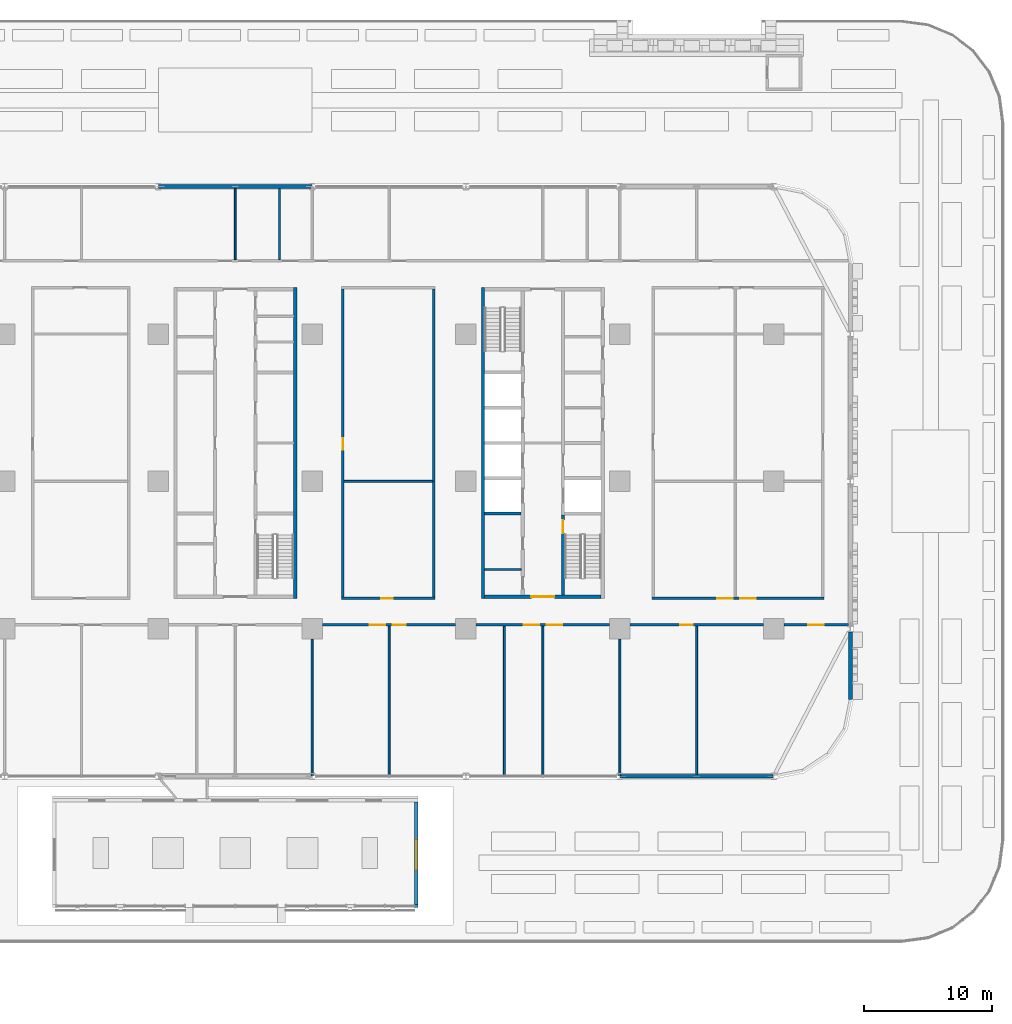
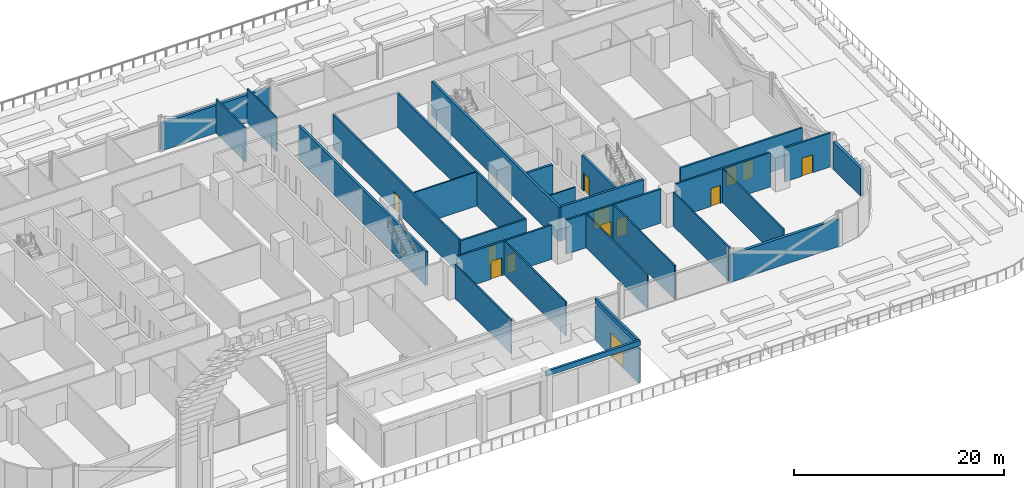
# One storey, part 16 of 39: 29 walls, 13 doors, 13 openings.
"""IFC4 building model written with IfcOpenShell, lengths in metres."""

from ifc_helpers import new_model, si_unit, direction, frame, frame_2d, origin, place, context, subcontext, project, spatial, rectangle, extrude, material, layer, layer_set, type_object, element, fill, save


model = new_model("IFC4")

# Units and contexts
model_context = context("Model", 3, precision=1e-05, world=origin(), true_north=direction((0.0, 1.0)))
body_context = subcontext(model_context, "Body", "Model", "MODEL_VIEW")
ifc_project = project(units=[si_unit("LENGTHUNIT", "METRE"), si_unit("AREAUNIT", "SQUARE_METRE"), si_unit("VOLUMEUNIT", "CUBIC_METRE"), si_unit("PLANEANGLEUNIT", "RADIAN"), si_unit("MASSUNIT", "GRAM", prefix="KILO")], contexts=[model_context])

# Site, building, storey
site_placement = place(None, origin())
site = spatial("IfcSite", under=ifc_project, at=site_placement, CompositionType="ELEMENT")
building_placement = place(site_placement, origin())
building = spatial("IfcBuilding", under=site, at=building_placement, Name="Mahtab Terrace Research Tower", CompositionType="ELEMENT")
storey_placement = place(building_placement, frame((0.0, 0.0, 7.199951171875)))
storey = spatial("IfcBuildingStorey", under=building, at=storey_placement, Name="L01", CompositionType="ELEMENT", Elevation=7.199951171875)

# Walls
ifc_material_1 = material(Name="Gypsum board partition")
ifc_layer_1 = layer(ifc_material_1, 0.14990234375)
ifc_layer_set_1 = layer_set([ifc_layer_1], Name="Core partition 150")
wall_type_1 = type_object("IfcWallType", Name="Core partition 150", PredefinedType="PARTITIONING", material=ifc_layer_set_1)
wall_1_placement = place(storey_placement, frame((19.449951171875, -6.875, 0.0), z_axis=(0.0, 0.0, 1.0), x_axis=(1.0, 0.0, 0.0)))
element("IfcWall", 1, at=wall_1_placement, inside=storey, type_object=wall_type_1, Name="Core wall C pWS-988", PredefinedType="PARTITIONING", context=body_context, shape_type="SweptSolid", body=[
    extrude(rectangle(XDim=2.85009765625, YDim=0.14990234375, at=frame_2d((1.425048828125, 0.0))), origin(), (0.0, 0.0, 1.0), 3.9599609375),
])
ifc_material_2 = material(Name="Concrete C70/85", Category="concrete")
ifc_layer_2 = layer(ifc_material_2, 0.25)
ifc_layer_set_2 = layer_set([ifc_layer_2], Name="Core wall 250")
wall_type_2 = type_object("IfcWallType", Name="Core wall 250", PredefinedType="SOLIDWALL", material=ifc_layer_set_2)
for number, where, z_axis, x_axis, name in (
    (2, (4.675048828125, -9.125, 0.0), (0.0, 0.0, 1.0), (0.0, 1.0, 0.0), "Core wall B outerE"),
    (3, (19.324951171875, 15.125, 0.0), (0.0, 0.0, 1.0), (0.0, -1.0, 0.0), "Core wall C outerW"),
):
    element("IfcWall", number, at=place(storey_placement, frame(where, z_axis=z_axis, x_axis=x_axis)), inside=storey, type_object=wall_type_2, Name=name, PredefinedType="SOLIDWALL", context=body_context, shape_type="SweptSolid", body=[
        extrude(rectangle(XDim=24.25, YDim=0.25, at=frame_2d((12.125, 0.0))), origin(), (0.0, 0.0, 1.0), 3.9599609375),
    ])

# Wall, opening, door
wall_2_placement = place(storey_placement, frame((28.550048828125, -9.0, 0.0), z_axis=(0.0, 0.0, 1.0), x_axis=(-1.0, 0.0, 0.0)))
wall_2 = element("IfcWall", 4, at=wall_2_placement, inside=storey, type_object=wall_type_2, Name="Core wall C endS", PredefinedType="SOLIDWALL", context=body_context, shape_type="SweptSolid", body=[
    extrude(rectangle(XDim=9.10009765625, YDim=0.25, at=frame_2d((4.550048828125, 0.0))), origin(), (0.0, 0.0, 1.0), 3.9599609375),
])
opening_1_placement = place(wall_2_placement, frame((3.64990234375, 0.0, 0.0)))
opening_1 = element("IfcOpeningElement", 5, at=opening_1_placement, cuts=wall_2, Name="Opening C-S1", PredefinedType="OPENING", context=body_context, shape_type="SweptSolid", body=[
    extrude(rectangle(XDim=1.800048828125, YDim=2.10009765625, at=frame_2d((0.89990234375, 1.050048828125))), frame((0.0, 0.135009765625, 0.0), z_axis=(0.0, -1.0, 0.0), x_axis=(1.0, 0.0, 0.0)), (0.0, 0.0, 1.0), 0.27001953125),
])
ifc_material_3 = material(Name="Steel fire door", Category="steel")
door_type_1 = type_object("IfcDoorType", Name="Lobby double door 1800x2100 1 HR", OperationType="DOUBLE_DOOR_SINGLE_SWING", PredefinedType="DOOR", material=ifc_material_3)
door_1_placement = place(opening_1_placement, origin())
door_1 = element("IfcDoor", 6, at=door_1_placement, inside=storey, type_object=door_type_1, Name="Core entrance door C S", OperationType="DOUBLE_DOOR_SINGLE_SWING", OverallHeight=2.10009765625, OverallWidth=1.800048828125, PredefinedType="DOOR", context=body_context, shape_type="SweptSolid", body=[
    extrude(rectangle(XDim=1.800048828125, YDim=2.10009765625, at=frame_2d((0.89990234375, 1.050048828125))), frame((0.0, 0.02490234375, 0.0), z_axis=(0.0, -1.0, 0.0), x_axis=(1.0, 0.0, 0.0)), (0.0, 0.0, 1.0), 0.050048828125),
])
fill(opening_1, door_1)

wall_3_placement = place(storey_placement, frame((25.574951171875, -8.875, 0.0), z_axis=(0.0, 0.0, 1.0), x_axis=(0.0, 1.0, 0.0)))
wall_3 = element("IfcWall", 7, at=wall_3_placement, inside=storey, type_object=wall_type_2, Name="Core wall C innerES", PredefinedType="SOLIDWALL", context=body_context, shape_type="SweptSolid", body=[
    extrude(rectangle(XDim=6.25, YDim=0.25, at=frame_2d((3.125, 0.0))), origin(), (0.0, 0.0, 1.0), 3.9599609375),
])
opening_2_placement = place(wall_3_placement, frame((4.85009765625, 0.0, 0.0)))
opening_2 = element("IfcOpeningElement", 8, at=opening_2_placement, cuts=wall_3, Name="Opening C-ST4", PredefinedType="OPENING", context=body_context, shape_type="SweptSolid", body=[
    extrude(rectangle(XDim=1.0, YDim=2.10009765625, at=frame_2d((0.5, 1.050048828125))), frame((0.0, 0.135009765625, 0.0), z_axis=(0.0, -1.0, 0.0), x_axis=(1.0, 0.0, 0.0)), (0.0, 0.0, 1.0), 0.27001953125),
])
door_type_2 = type_object("IfcDoorType", Name="Stair door 1000x2100 1.5 HR", OperationType="NOTDEFINED", PredefinedType="DOOR", material=ifc_material_3)
door_2_placement = place(opening_2_placement, origin())
door_2 = element("IfcDoor", 9, at=door_2_placement, inside=storey, type_object=door_type_2, Name="Stair door ST4 L01", OperationType="SINGLE_SWING_LEFT", OverallHeight=2.10009765625, OverallWidth=1.0, PredefinedType="DOOR", context=body_context, shape_type="SweptSolid", body=[
    extrude(rectangle(XDim=1.0, YDim=2.10009765625, at=frame_2d((0.5, 1.050048828125))), frame((0.0, 0.02490234375, 0.0), z_axis=(0.0, -1.0, 0.0), x_axis=(1.0, 0.0, 0.0)), (0.0, 0.0, 1.0), 0.050048828125),
])
fill(opening_2, door_2)

# Walls
wall_4_placement = place(storey_placement, frame((19.449951171875, -2.5, 0.0), z_axis=(0.0, 0.0, 1.0), x_axis=(1.0, 0.0, 0.0)))
element("IfcWall", 10, at=wall_4_placement, inside=storey, type_object=wall_type_2, Name="Core wall C divW0", PredefinedType="SOLIDWALL", context=body_context, shape_type="SweptSolid", body=[
    extrude(rectangle(XDim=2.85009765625, YDim=0.25, at=frame_2d((1.425048828125, 0.0))), origin(), (0.0, 0.0, 1.0), 3.9599609375),
])
ifc_material_4 = material(Name="Black aluminium cladding panel", Category="aluminium")
ifc_layer_3 = layer(ifc_material_4, 0.300048828125)
ifc_layer_set_3 = layer_set([ifc_layer_3], Name="Opaque facade wall 300")
wall_type_3 = type_object("IfcWallType", Name="Opaque facade wall 300", PredefinedType="NOTDEFINED", material=ifc_layer_set_3)
for number, where, z_axis, x_axis, name in (
    (11, (5.97216796875, 23.0, 0.0), (0.0, 0.0, 1.0), (-1.0, 0.0, 0.0), "Opaque facade wall L01 N6"),
    (12, (30.02783203125, -23.0, 0.0), (0.0, 0.0, 1.0), (1.0, 0.0, 0.0), "Opaque facade wall L01 S28"),
):
    element("IfcWall", number, at=place(storey_placement, frame(where, z_axis=z_axis, x_axis=x_axis)), inside=storey, type_object=wall_type_3, Name=name, PredefinedType="NOTDEFINED", context=body_context, shape_type="SweptSolid", body=[
        extrude(rectangle(XDim=11.9443359375, YDim=0.300048828125, at=frame_2d((5.97216796875, 0.0))), origin(), (0.0, 0.0, 1.0), 3.203125),
    ])
wall_5_placement = place(storey_placement, frame((48.0, -17.0, 0.0), z_axis=(0.0, 0.0, 1.0), x_axis=(0.0, 1.0, 0.0)))
element("IfcWall", 13, at=wall_5_placement, inside=storey, type_object=wall_type_3, Name="Opaque facade wall L01 E33", PredefinedType="NOTDEFINED", context=body_context, shape_type="SweptSolid", body=[
    extrude(rectangle(XDim=5.2509765625, YDim=0.300048828125, at=frame_2d((2.62548828125, 0.0))), origin(), (0.0, 0.0, 1.0), 3.203125),
])

# Wall, opening, door
ifc_layer_4 = layer(ifc_material_2, 0.25)
ifc_layer_set_4 = layer_set([ifc_layer_4], Name="Pavilion wall 250")
wall_type_4 = type_object("IfcWallType", Name="Pavilion wall 250", PredefinedType="SOLIDWALL", material=ifc_layer_set_4)
wall_6_placement = place(storey_placement, frame((14.125, -33.25, 0.0), z_axis=(0.0, 0.0, 1.0), x_axis=(0.0, 1.0, 0.0)))
wall_6 = element("IfcWall", 14, at=wall_6_placement, inside=storey, type_object=wall_type_4, Name="Pavilion end wall E", PredefinedType="SOLIDWALL", context=body_context, shape_type="SweptSolid", body=[
    extrude(rectangle(XDim=8.25, YDim=0.25, at=frame_2d((4.125, 0.0))), origin(), (0.0, 0.0, 1.0), 4.0),
])
opening_3_placement = place(wall_6_placement, frame((2.925048828125, 0.0, 0.0)))
opening_3 = element("IfcOpeningElement", 15, at=opening_3_placement, cuts=wall_6, Name="Opening ED5", PredefinedType="OPENING", context=body_context, shape_type="SweptSolid", body=[
    extrude(rectangle(XDim=2.39990234375, YDim=2.699951171875, at=frame_2d((1.199951171875, 1.35009765625))), frame((0.0, 0.135009765625, 0.0), z_axis=(0.0, -1.0, 0.0), x_axis=(1.0, 0.0, 0.0)), (0.0, 0.0, 1.0), 0.27001953125),
])
ifc_material_5 = material(Name="Black anodised aluminium", Category="aluminium")
door_type_3 = type_object("IfcDoorType", Name="Pavilion entrance door 2400x2700", OperationType="DOUBLE_DOOR_DOUBLE_SWING", PredefinedType="DOOR", material=ifc_material_5)
door_3_placement = place(opening_3_placement, origin())
door_3 = element("IfcDoor", 16, at=door_3_placement, inside=storey, type_object=door_type_3, Name="Pavilion entrance door E", OperationType="SINGLE_SWING_LEFT", OverallHeight=2.699951171875, OverallWidth=2.39990234375, PredefinedType="DOOR", context=body_context, shape_type="SweptSolid", body=[
    extrude(rectangle(XDim=2.39990234375, YDim=2.699951171875, at=frame_2d((1.199951171875, 1.35009765625))), frame((0.0, 0.02490234375, 0.0), z_axis=(0.0, -1.0, 0.0), x_axis=(1.0, 0.0, 0.0)), (0.0, 0.0, 1.0), 0.050048828125),
])
fill(opening_3, door_3)

# Walls
ifc_material_6 = material(Name="Precast concrete C40/50", Category="concrete")
ifc_layer_5 = layer(ifc_material_6, 0.25)
ifc_layer_set_5 = layer_set([ifc_layer_5], Name="Roof parapet wall 250")
wall_type_5 = type_object("IfcWallType", Name="Roof parapet wall 250", PredefinedType="PARAPET", material=ifc_layer_set_5)
wall_7_placement = place(storey_placement, frame((14.125, -33.0, 4.300048828125), z_axis=(0.0, 0.0, 1.0), x_axis=(0.0, 1.0, 0.0)))
element("IfcWall", 17, at=wall_7_placement, inside=storey, type_object=wall_type_5, Name="Pavilion roof parapet E", PredefinedType="PARAPET", context=body_context, shape_type="SweptSolid", body=[
    extrude(rectangle(XDim=8.0, YDim=0.25, at=frame_2d((4.0, 0.0))), origin(), (0.0, 0.0, 1.0), 0.60009765625),
])
wall_8_placement = place(storey_placement, frame((3.89990234375, -33.125, 4.300048828125), z_axis=(0.0, 0.0, 1.0), x_axis=(1.0, 0.0, 0.0)))
element("IfcWall", 18, at=wall_8_placement, inside=storey, type_object=wall_type_5, Name="Pavilion roof parapet F3", PredefinedType="PARAPET", context=body_context, shape_type="SweptSolid", body=[
    extrude(rectangle(XDim=10.35009765625, YDim=0.25, at=frame_2d((5.175048828125, 0.0))), origin(), (0.0, 0.0, 1.0), 0.60009765625),
])

# Wall, openings, doors
ifc_material_7 = material(Name="Gypsum board corridor wall on steel studs", Category="steel")
ifc_layer_6 = layer(ifc_material_7, 0.199951171875)
ifc_layer_set_6 = layer_set([ifc_layer_6], Name="WALL CORRIDOR 200")
wall_type_6 = type_object("IfcWallType", Name="WALL CORRIDOR 200", PredefinedType="PARTITIONING", material=ifc_layer_set_6)
wall_9_placement = place(storey_placement, frame((6.800048828125, -11.199951171875, 0.0), z_axis=(0.0, 0.0, 1.0), x_axis=(1.0, 0.0, 0.0)))
wall_9 = element("IfcWall", 19, at=wall_9_placement, inside=storey, type_object=wall_type_6, Name="L01-W006", PredefinedType="PARTITIONING", context=body_context, shape_type="SweptSolid", body=[
    extrude(rectangle(XDim=10.39990234375, YDim=0.199951171875, at=frame_2d((5.199951171875, 0.0))), origin(), (0.0, 0.0, 1.0), 3.9599609375),
])
opening_4_placement = place(wall_9_placement, frame((3.699951171875, 0.0, 0.0)))
opening_4 = element("IfcOpeningElement", 20, at=opening_4_placement, cuts=wall_9, Name="Opening L01-110", PredefinedType="OPENING", context=body_context, shape_type="SweptSolid", body=[
    extrude(rectangle(XDim=1.199951171875, YDim=2.10009765625, at=frame_2d((0.60009765625, 1.050048828125))), frame((0.0, 0.10986328125, 0.0), z_axis=(0.0, -1.0, 0.0), x_axis=(1.0, 0.0, 0.0)), (0.0, 0.0, 1.0), 0.219970703125),
])
opening_5_placement = place(wall_9_placement, frame((5.5, 0.0, 0.0)))
opening_5 = element("IfcOpeningElement", 21, at=opening_5_placement, cuts=wall_9, Name="Opening L01-111", PredefinedType="OPENING", context=body_context, shape_type="SweptSolid", body=[
    extrude(rectangle(XDim=1.0, YDim=2.10009765625, at=frame_2d((0.5, 1.050048828125))), frame((0.0, 0.10986328125, 0.0), z_axis=(0.0, -1.0, 0.0), x_axis=(1.0, 0.0, 0.0)), (0.0, 0.0, 1.0), 0.219970703125),
])
ifc_material_8 = material(Name="Timber door leaf in steel frame", Category="steel")
door_type_4 = type_object("IfcDoorType", Name="DOOR 1000X2100 FD30S", OperationType="SINGLE_SWING_LEFT", PredefinedType="DOOR", material=ifc_material_8)
door_4_placement = place(opening_5_placement, origin())
door_4 = element("IfcDoor", 22, at=door_4_placement, inside=storey, type_object=door_type_4, Name="Door L01-111", OperationType="SINGLE_SWING_LEFT", OverallHeight=2.10009765625, OverallWidth=1.0, PredefinedType="DOOR", context=body_context, shape_type="SweptSolid", body=[
    extrude(rectangle(XDim=1.0, YDim=2.10009765625, at=frame_2d((0.5, 1.050048828125))), frame((0.0, 0.02490234375, 0.0), z_axis=(0.0, -1.0, 0.0), x_axis=(1.0, 0.0, 0.0)), (0.0, 0.0, 1.0), 0.050048828125),
])
fill(opening_5, door_4)
door_type_5 = type_object("IfcDoorType", Name="DOOR 1200X2100 FD30S", OperationType="SINGLE_SWING_LEFT", PredefinedType="DOOR", material=ifc_material_8)
door_5_placement = place(opening_4_placement, origin())
door_5 = element("IfcDoor", 23, at=door_5_placement, inside=storey, type_object=door_type_5, Name="Door L01-110", OperationType="SINGLE_SWING_RIGHT", OverallHeight=2.10009765625, OverallWidth=1.199951171875, PredefinedType="DOOR", context=body_context, shape_type="SweptSolid", body=[
    extrude(rectangle(XDim=1.199951171875, YDim=2.10009765625, at=frame_2d((0.60009765625, 1.050048828125))), frame((0.0, 0.02490234375, 0.0), z_axis=(0.0, -1.0, 0.0), x_axis=(1.0, 0.0, 0.0)), (0.0, 0.0, 1.0), 0.050048828125),
])
fill(opening_4, door_5)

wall_10_placement = place(storey_placement, frame((18.800048828125, -11.199951171875, 0.0), z_axis=(0.0, 0.0, 1.0), x_axis=(1.0, 0.0, 0.0)))
wall_10 = element("IfcWall", 24, at=wall_10_placement, inside=storey, type_object=wall_type_6, Name="L01-W007", PredefinedType="PARTITIONING", context=body_context, shape_type="SweptSolid", body=[
    extrude(rectangle(XDim=10.39990234375, YDim=0.199951171875, at=frame_2d((5.199951171875, 0.0))), origin(), (0.0, 0.0, 1.0), 3.9599609375),
])
opening_6_placement = place(wall_10_placement, frame((3.699951171875, 0.0, 0.0)))
opening_6 = element("IfcOpeningElement", 25, at=opening_6_placement, cuts=wall_10, Name="Opening L01-112", PredefinedType="OPENING", context=body_context, shape_type="SweptSolid", body=[
    extrude(rectangle(XDim=1.199951171875, YDim=2.10009765625, at=frame_2d((0.60009765625, 1.050048828125))), frame((0.0, 0.10986328125, 0.0), z_axis=(0.0, -1.0, 0.0), x_axis=(1.0, 0.0, 0.0)), (0.0, 0.0, 1.0), 0.219970703125),
])
opening_7_placement = place(wall_10_placement, frame((5.5, 0.0, 0.0)))
opening_7 = element("IfcOpeningElement", 26, at=opening_7_placement, cuts=wall_10, Name="Opening L01-113", PredefinedType="OPENING", context=body_context, shape_type="SweptSolid", body=[
    extrude(rectangle(XDim=1.199951171875, YDim=2.10009765625, at=frame_2d((0.60009765625, 1.050048828125))), frame((0.0, 0.10986328125, 0.0), z_axis=(0.0, -1.0, 0.0), x_axis=(1.0, 0.0, 0.0)), (0.0, 0.0, 1.0), 0.219970703125),
])
door_6_placement = place(opening_6_placement, origin())
door_6 = element("IfcDoor", 27, at=door_6_placement, inside=storey, type_object=door_type_5, Name="Door L01-112", OperationType="SINGLE_SWING_RIGHT", OverallHeight=2.10009765625, OverallWidth=1.199951171875, PredefinedType="DOOR", context=body_context, shape_type="SweptSolid", body=[
    extrude(rectangle(XDim=1.199951171875, YDim=2.10009765625, at=frame_2d((0.60009765625, 1.050048828125))), frame((0.0, 0.02490234375, 0.0), z_axis=(0.0, -1.0, 0.0), x_axis=(1.0, 0.0, 0.0)), (0.0, 0.0, 1.0), 0.050048828125),
])
fill(opening_6, door_6)
door_7_placement = place(opening_7_placement, origin())
door_7 = element("IfcDoor", 28, at=door_7_placement, inside=storey, type_object=door_type_5, Name="Door L01-113", OperationType="SINGLE_SWING_LEFT", OverallHeight=2.10009765625, OverallWidth=1.199951171875, PredefinedType="DOOR", context=body_context, shape_type="SweptSolid", body=[
    extrude(rectangle(XDim=1.199951171875, YDim=2.10009765625, at=frame_2d((0.60009765625, 1.050048828125))), frame((0.0, 0.02490234375, 0.0), z_axis=(0.0, -1.0, 0.0), x_axis=(1.0, 0.0, 0.0)), (0.0, 0.0, 1.0), 0.050048828125),
])
fill(opening_7, door_7)

# Wall, opening, door
wall_11_placement = place(storey_placement, frame((30.800048828125, -11.199951171875, 0.0), z_axis=(0.0, 0.0, 1.0), x_axis=(1.0, 0.0, 0.0)))
wall_11 = element("IfcWall", 29, at=wall_11_placement, inside=storey, type_object=wall_type_6, Name="L01-W008", PredefinedType="PARTITIONING", context=body_context, shape_type="SweptSolid", body=[
    extrude(rectangle(XDim=10.39990234375, YDim=0.199951171875, at=frame_2d((5.199951171875, 0.0))), origin(), (0.0, 0.0, 1.0), 3.9599609375),
])
opening_8_placement = place(wall_11_placement, frame((3.89990234375, 0.0, 0.0)))
opening_8 = element("IfcOpeningElement", 30, at=opening_8_placement, cuts=wall_11, Name="Opening L01-114", PredefinedType="OPENING", context=body_context, shape_type="SweptSolid", body=[
    extrude(rectangle(XDim=1.0, YDim=2.10009765625, at=frame_2d((0.5, 1.050048828125))), frame((0.0, 0.10986328125, 0.0), z_axis=(0.0, -1.0, 0.0), x_axis=(1.0, 0.0, 0.0)), (0.0, 0.0, 1.0), 0.219970703125),
])
door_8_placement = place(opening_8_placement, origin())
door_8 = element("IfcDoor", 31, at=door_8_placement, inside=storey, type_object=door_type_4, Name="Door L01-114", OperationType="SINGLE_SWING_RIGHT", OverallHeight=2.10009765625, OverallWidth=1.0, PredefinedType="DOOR", context=body_context, shape_type="SweptSolid", body=[
    extrude(rectangle(XDim=1.0, YDim=2.10009765625, at=frame_2d((0.5, 1.050048828125))), frame((0.0, 0.02490234375, 0.0), z_axis=(0.0, -1.0, 0.0), x_axis=(1.0, 0.0, 0.0)), (0.0, 0.0, 1.0), 0.050048828125),
])
fill(opening_8, door_8)

wall_12_placement = place(storey_placement, frame((42.800048828125, -11.199951171875, 0.0), z_axis=(0.0, 0.0, 1.0), x_axis=(1.0, 0.0, 0.0)))
wall_12 = element("IfcWall", 32, at=wall_12_placement, inside=storey, type_object=wall_type_6, Name="L01-W009", PredefinedType="PARTITIONING", context=body_context, shape_type="SweptSolid", body=[
    extrude(rectangle(XDim=5.050048828125, YDim=0.199951171875, at=frame_2d((2.52490234375, 0.0))), origin(), (0.0, 0.0, 1.0), 3.9599609375),
])
opening_9_placement = place(wall_12_placement, frame((1.89990234375, 0.0, 0.0)))
opening_9 = element("IfcOpeningElement", 33, at=opening_9_placement, cuts=wall_12, Name="Opening L01-115", PredefinedType="OPENING", context=body_context, shape_type="SweptSolid", body=[
    extrude(rectangle(XDim=1.199951171875, YDim=2.10009765625, at=frame_2d((0.60009765625, 1.050048828125))), frame((0.0, 0.10986328125, 0.0), z_axis=(0.0, -1.0, 0.0), x_axis=(1.0, 0.0, 0.0)), (0.0, 0.0, 1.0), 0.219970703125),
])
door_9_placement = place(opening_9_placement, origin())
door_9 = element("IfcDoor", 34, at=door_9_placement, inside=storey, type_object=door_type_5, Name="Door L01-115", OperationType="SINGLE_SWING_RIGHT", OverallHeight=2.10009765625, OverallWidth=1.199951171875, PredefinedType="DOOR", context=body_context, shape_type="SweptSolid", body=[
    extrude(rectangle(XDim=1.199951171875, YDim=2.10009765625, at=frame_2d((0.60009765625, 1.050048828125))), frame((0.0, 0.02490234375, 0.0), z_axis=(0.0, -1.0, 0.0), x_axis=(1.0, 0.0, 0.0)), (0.0, 0.0, 1.0), 0.050048828125),
])
fill(opening_9, door_9)

wall_13_placement = place(storey_placement, frame((8.300048828125, -9.125, 0.0), z_axis=(0.0, 0.0, 1.0), x_axis=(1.0, 0.0, 0.0)))
wall_13 = element("IfcWall", 35, at=wall_13_placement, inside=storey, type_object=wall_type_6, Name="L01-W012", PredefinedType="PARTITIONING", context=body_context, shape_type="SweptSolid", body=[
    extrude(rectangle(XDim=7.300048828125, YDim=0.199951171875, at=frame_2d((3.64990234375, 0.0))), origin(), (0.0, 0.0, 1.0), 3.9599609375),
])
opening_10_placement = place(wall_13_placement, frame((3.10009765625, 0.0, 0.0)))
opening_10 = element("IfcOpeningElement", 36, at=opening_10_placement, cuts=wall_13, Name="Opening L01-119", PredefinedType="OPENING", context=body_context, shape_type="SweptSolid", body=[
    extrude(rectangle(XDim=0.89990234375, YDim=2.10009765625, at=frame_2d((0.449951171875, 1.050048828125))), frame((0.0, 0.10986328125, 0.0), z_axis=(0.0, -1.0, 0.0), x_axis=(1.0, 0.0, 0.0)), (0.0, 0.0, 1.0), 0.219970703125),
])
door_type_6 = type_object("IfcDoorType", Name="DOOR 0900X2100 FD30S", OperationType="SINGLE_SWING_LEFT", PredefinedType="DOOR", material=ifc_material_8)
door_10_placement = place(opening_10_placement, origin())
door_10 = element("IfcDoor", 37, at=door_10_placement, inside=storey, type_object=door_type_6, Name="Door L01-119", OperationType="SINGLE_SWING_LEFT", OverallHeight=2.10009765625, OverallWidth=0.89990234375, PredefinedType="DOOR", context=body_context, shape_type="SweptSolid", body=[
    extrude(rectangle(XDim=0.89990234375, YDim=2.10009765625, at=frame_2d((0.449951171875, 1.050048828125))), frame((0.0, 0.02490234375, 0.0), z_axis=(0.0, -1.0, 0.0), x_axis=(1.0, 0.0, 0.0)), (0.0, 0.0, 1.0), 0.050048828125),
])
fill(opening_10, door_10)

# Wall, openings, doors
wall_14_placement = place(storey_placement, frame((32.5, -9.125, 0.0), z_axis=(0.0, 0.0, 1.0), x_axis=(1.0, 0.0, 0.0)))
wall_14 = element("IfcWall", 38, at=wall_14_placement, inside=storey, type_object=wall_type_6, Name="L01-W013", PredefinedType="PARTITIONING", context=body_context, shape_type="SweptSolid", body=[
    extrude(rectangle(XDim=13.449951171875, YDim=0.199951171875, at=frame_2d((6.72509765625, 0.0))), origin(), (0.0, 0.0, 1.0), 3.9599609375),
])
opening_11_placement = place(wall_14_placement, frame((5.10009765625, 0.0, 0.0)))
opening_11 = element("IfcOpeningElement", 39, at=opening_11_placement, cuts=wall_14, Name="Opening L01-120", PredefinedType="OPENING", context=body_context, shape_type="SweptSolid", body=[
    extrude(rectangle(XDim=1.199951171875, YDim=2.10009765625, at=frame_2d((0.60009765625, 1.050048828125))), frame((0.0, 0.10986328125, 0.0), z_axis=(0.0, -1.0, 0.0), x_axis=(1.0, 0.0, 0.0)), (0.0, 0.0, 1.0), 0.219970703125),
])
opening_12_placement = place(wall_14_placement, frame((6.89990234375, 0.0, 0.0)))
opening_12 = element("IfcOpeningElement", 40, at=opening_12_placement, cuts=wall_14, Name="Opening L01-121", PredefinedType="OPENING", context=body_context, shape_type="SweptSolid", body=[
    extrude(rectangle(XDim=1.199951171875, YDim=2.10009765625, at=frame_2d((0.60009765625, 1.050048828125))), frame((0.0, 0.10986328125, 0.0), z_axis=(0.0, -1.0, 0.0), x_axis=(1.0, 0.0, 0.0)), (0.0, 0.0, 1.0), 0.219970703125),
])
door_11_placement = place(opening_11_placement, origin())
door_11 = element("IfcDoor", 41, at=door_11_placement, inside=storey, type_object=door_type_5, Name="Door L01-120", OperationType="SINGLE_SWING_LEFT", OverallHeight=2.10009765625, OverallWidth=1.199951171875, PredefinedType="DOOR", context=body_context, shape_type="SweptSolid", body=[
    extrude(rectangle(XDim=1.199951171875, YDim=2.10009765625, at=frame_2d((0.60009765625, 1.050048828125))), frame((0.0, 0.02490234375, 0.0), z_axis=(0.0, -1.0, 0.0), x_axis=(1.0, 0.0, 0.0)), (0.0, 0.0, 1.0), 0.050048828125),
])
fill(opening_11, door_11)
door_12_placement = place(opening_12_placement, origin())
door_12 = element("IfcDoor", 42, at=door_12_placement, inside=storey, type_object=door_type_5, Name="Door L01-121", OperationType="SINGLE_SWING_RIGHT", OverallHeight=2.10009765625, OverallWidth=1.199951171875, PredefinedType="DOOR", context=body_context, shape_type="SweptSolid", body=[
    extrude(rectangle(XDim=1.199951171875, YDim=2.10009765625, at=frame_2d((0.60009765625, 1.050048828125))), frame((0.0, 0.02490234375, 0.0), z_axis=(0.0, -1.0, 0.0), x_axis=(1.0, 0.0, 0.0)), (0.0, 0.0, 1.0), 0.050048828125),
])
fill(opening_12, door_12)

# Wall, opening, door
wall_15_placement = place(storey_placement, frame((8.39990234375, -9.02490234375, 0.0), z_axis=(0.0, 0.0, 1.0), x_axis=(0.0, 1.0, 0.0)))
wall_15 = element("IfcWall", 43, at=wall_15_placement, inside=storey, type_object=wall_type_6, Name="L01-W051", PredefinedType="PARTITIONING", context=body_context, shape_type="SweptSolid", body=[
    extrude(rectangle(XDim=24.0498046875, YDim=0.199951171875, at=frame_2d((12.02490234375, 0.0))), origin(), (0.0, 0.0, 1.0), 3.9599609375),
])
opening_13_placement = place(wall_15_placement, frame((11.5, 0.0, 0.0)))
opening_13 = element("IfcOpeningElement", 44, at=opening_13_placement, cuts=wall_15, Name="Opening L01-127", PredefinedType="OPENING", context=body_context, shape_type="SweptSolid", body=[
    extrude(rectangle(XDim=0.89990234375, YDim=2.10009765625, at=frame_2d((0.449951171875, 1.050048828125))), frame((0.0, 0.10986328125, 0.0), z_axis=(0.0, -1.0, 0.0), x_axis=(1.0, 0.0, 0.0)), (0.0, 0.0, 1.0), 0.219970703125),
])
door_13_placement = place(opening_13_placement, origin())
door_13 = element("IfcDoor", 45, at=door_13_placement, inside=storey, type_object=door_type_6, Name="Door L01-127", OperationType="SINGLE_SWING_RIGHT", OverallHeight=2.10009765625, OverallWidth=0.89990234375, PredefinedType="DOOR", context=body_context, shape_type="SweptSolid", body=[
    extrude(rectangle(XDim=0.89990234375, YDim=2.10009765625, at=frame_2d((0.449951171875, 1.050048828125))), frame((0.0, 0.02490234375, 0.0), z_axis=(0.0, -1.0, 0.0), x_axis=(1.0, 0.0, 0.0)), (0.0, 0.0, 1.0), 0.050048828125),
])
fill(opening_13, door_13)

# Walls
wall_16_placement = place(storey_placement, frame((15.5, -9.02490234375, 0.0), z_axis=(0.0, 0.0, 1.0), x_axis=(0.0, 1.0, 0.0)))
element("IfcWall", 46, at=wall_16_placement, inside=storey, type_object=wall_type_6, Name="L01-W054", PredefinedType="PARTITIONING", context=body_context, shape_type="SweptSolid", body=[
    extrude(rectangle(XDim=24.0498046875, YDim=0.199951171875, at=frame_2d((12.02490234375, 0.0))), origin(), (0.0, 0.0, 1.0), 3.9599609375),
])
ifc_material_9 = material(Name="Gypsum board partition on steel studs", Category="steel")
ifc_layer_7 = layer(ifc_material_9, 0.14990234375)
ifc_layer_set_7 = layer_set([ifc_layer_7], Name="WALL PARTITION 150")
wall_type_7 = type_object("IfcWallType", Name="WALL PARTITION 150", PredefinedType="PARTITIONING", material=ifc_layer_set_7)
wall_17_placement = place(storey_placement, frame((8.5, 0.0, 0.0), z_axis=(0.0, 0.0, 1.0), x_axis=(1.0, 0.0, 0.0)))
element("IfcWall", 47, at=wall_17_placement, inside=storey, type_object=wall_type_7, Name="L01-W017", PredefinedType="PARTITIONING", context=body_context, shape_type="SweptSolid", body=[
    extrude(rectangle(XDim=6.89990234375, YDim=0.14990234375, at=frame_2d((3.449951171875, 0.0))), origin(), (0.0, 0.0, 1.0), 3.9599609375),
])
for number, where, z_axis, x_axis, name in (
    (48, (0.0, 17.300048828125, 0.0), (0.0, 0.0, 1.0), (0.0, 1.0, 0.0), "L01-W047"),
    (49, (3.449951171875, 17.300048828125, 0.0), (0.0, 0.0, 1.0), (0.0, 1.0, 0.0), "L01-W048"),
):
    element("IfcWall", number, at=place(storey_placement, frame(where, z_axis=z_axis, x_axis=x_axis)), inside=storey, type_object=wall_type_7, Name=name, PredefinedType="PARTITIONING", context=body_context, shape_type="SweptSolid", body=[
        extrude(rectangle(XDim=5.550048828125, YDim=0.14990234375, at=frame_2d((2.77490234375, 0.0))), origin(), (0.0, 0.0, 1.0), 3.9599609375),
    ])
wall_18_placement = place(storey_placement, frame((6.0, -22.97509765625, 0.0), z_axis=(0.0, 0.0, 1.0), x_axis=(0.0, 1.0, 0.0)))
element("IfcWall", 50, at=wall_18_placement, inside=storey, type_object=wall_type_7, Name="L01-W049", PredefinedType="PARTITIONING", context=body_context, shape_type="SweptSolid", body=[
    extrude(rectangle(XDim=10.675048828125, YDim=0.14990234375, at=frame_2d((5.33740234375, 0.0))), origin(), (0.0, 0.0, 1.0), 3.9599609375),
])
for number, where, z_axis, x_axis, name in (
    (51, (12.0, -22.97509765625, 0.0), (0.0, 0.0, 1.0), (0.0, 1.0, 0.0), "L01-W052"),
    (52, (21.0, -22.97509765625, 0.0), (0.0, 0.0, 1.0), (0.0, 1.0, 0.0), "L01-W055"),
    (53, (24.0, -22.97509765625, 0.0), (0.0, 0.0, 1.0), (0.0, 1.0, 0.0), "L01-W056"),
):
    element("IfcWall", number, at=place(storey_placement, frame(where, z_axis=z_axis, x_axis=x_axis)), inside=storey, type_object=wall_type_7, Name=name, PredefinedType="PARTITIONING", context=body_context, shape_type="SweptSolid", body=[
        extrude(rectangle(XDim=11.675048828125, YDim=0.14990234375, at=frame_2d((5.83740234375, 0.0))), origin(), (0.0, 0.0, 1.0), 3.9599609375),
    ])
wall_19_placement = place(storey_placement, frame((30.0, -22.97509765625, 0.0), z_axis=(0.0, 0.0, 1.0), x_axis=(0.0, 1.0, 0.0)))
element("IfcWall", 54, at=wall_19_placement, inside=storey, type_object=wall_type_7, Name="L01-W059", PredefinedType="PARTITIONING", context=body_context, shape_type="SweptSolid", body=[
    extrude(rectangle(XDim=10.675048828125, YDim=0.14990234375, at=frame_2d((5.33740234375, 0.0))), origin(), (0.0, 0.0, 1.0), 3.9599609375),
])
wall_20_placement = place(storey_placement, frame((36.0, -22.85009765625, 0.0), z_axis=(0.0, 0.0, 1.0), x_axis=(0.0, 1.0, 0.0)))
element("IfcWall", 55, at=wall_20_placement, inside=storey, type_object=wall_type_7, Name="L01-W062", PredefinedType="PARTITIONING", context=body_context, shape_type="SweptSolid", body=[
    extrude(rectangle(XDim=11.550048828125, YDim=0.14990234375, at=frame_2d((5.77490234375, 0.0))), origin(), (0.0, 0.0, 1.0), 3.9599609375),
])

save(model, "model.ifc")
